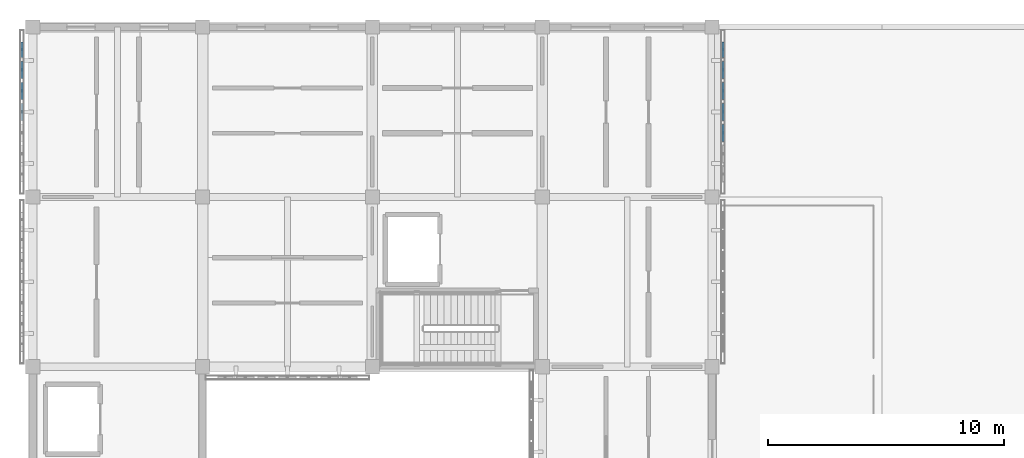
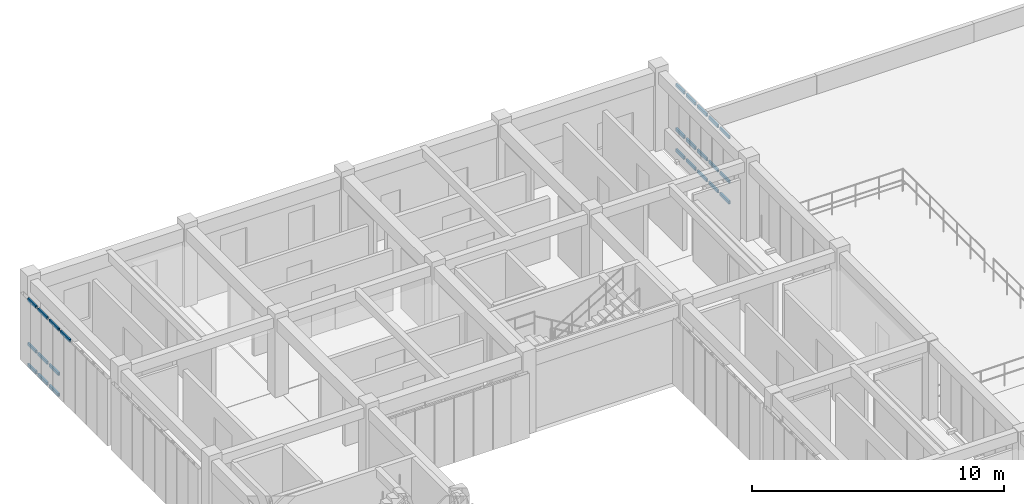
# One storey, part 25 of 67: 25 members, 2 elements without a shape of their own.
"""IFC4 building model written with IfcOpenShell, lengths in metres."""

from ifc_helpers import new_model, si_unit, direction, frame, origin, origin_2d, place, context, subcontext, project, spatial, hollow_rectangle, extrude, material, material_profile, profile_set, type_object, element, aggregate, save


model = new_model("IFC4")

# Units and contexts
model_context = context("Model", 3, precision=1e-05, world=origin(), true_north=direction((0.0, 1.0)))
body_context = subcontext(model_context, "Body", "Model", "MODEL_VIEW")
ifc_project = project(units=[si_unit("LENGTHUNIT", "METRE"), si_unit("AREAUNIT", "SQUARE_METRE"), si_unit("VOLUMEUNIT", "CUBIC_METRE"), si_unit("PLANEANGLEUNIT", "RADIAN"), si_unit("MASSUNIT", "GRAM", prefix="KILO")], contexts=[model_context])

# Site, building, storey
site_placement = place(None, origin())
site = spatial("IfcSite", under=ifc_project, at=site_placement, CompositionType="ELEMENT")
building_placement = place(site_placement, origin())
building = spatial("IfcBuilding", under=site, at=building_placement, Name="Aldebral Square Health Centre", CompositionType="ELEMENT")
storey_placement = place(building_placement, frame((0.0, 0.0, 13.5)))
storey = spatial("IfcBuildingStorey", under=building, at=storey_placement, Name="L03", CompositionType="ELEMENT", Elevation=13.5)

# Curtain wall, members
ifc_material_1 = material(Name="Aluminium and low-E solar glass", Category="aluminium")
curtain_wall_type = type_object("IfcCurtainWallType", Name="CW-FIN-SYS", PredefinedType="USERDEFINED", material=ifc_material_1)
curtain_wall_1_placement = place(storey_placement, origin())
curtain_wall_1 = element("IfcCurtainWall", 1, at=curtain_wall_1_placement, inside=storey, type_object=curtain_wall_type, Name="L03 V4 finned curtain wall L03-V4-00-15-W", ObjectType="SOLAR_CURTAIN_WALL", PredefinedType="USERDEFINED")
ifc_material_2 = material(Name="Anodised aluminium transom", Category="aluminium")
ifc_material_profile = material_profile(ifc_material_2, hollow_rectangle(XDim=0.074951171875, YDim=0.14990234375, WallThickness=0.00390625, at=origin_2d()), Name="CWT 75x150x4")
ifc_profile_set = profile_set([ifc_material_profile], Name="Anodised aluminium transom")
member_type = type_object("IfcMemberType", Name="CWT-STD", PredefinedType="USERDEFINED", material=ifc_profile_set)
member_1_placement = place(storey_placement, frame((-0.4599609375, 114.56005859375, 0.03759765625), z_axis=(0.0, -1.0, 0.0), x_axis=(1.0, 0.0, 0.0)))
member_1 = element("IfcMember", 2, at=member_1_placement, type_object=member_type, Name="CW1 transom 1.1", ObjectType="TRANSOM", PredefinedType="USERDEFINED", context=body_context, shape_type="SweptSolid", body=[
    extrude(hollow_rectangle(XDim=0.074951171875, YDim=0.14990234375, WallThickness=0.00390625, at=origin_2d()), origin(), (0.0, 0.0, 1.0), 0.6513671875),
])
member_2_placement = place(storey_placement, frame((-0.4599609375, 114.56005859375, 1.050048828125), z_axis=(0.0, -1.0, 0.0), x_axis=(1.0, 0.0, 0.0)))
member_2 = element("IfcMember", 3, at=member_2_placement, type_object=member_type, Name="CW1 transom 1.2", ObjectType="TRANSOM", PredefinedType="USERDEFINED", context=body_context, shape_type="SweptSolid", body=[
    extrude(hollow_rectangle(XDim=0.074951171875, YDim=0.14990234375, WallThickness=0.00390625, at=origin_2d()), origin(), (0.0, 0.0, 1.0), 0.6513671875),
])
member_3_placement = place(storey_placement, frame((-0.4599609375, 114.56005859375, 3.202392578125), z_axis=(0.0, -1.0, 0.0), x_axis=(1.0, 0.0, 0.0)))
member_3 = element("IfcMember", 4, at=member_3_placement, type_object=member_type, Name="CW1 transom 1.3", ObjectType="TRANSOM", PredefinedType="USERDEFINED", context=body_context, shape_type="SweptSolid", body=[
    extrude(hollow_rectangle(XDim=0.074951171875, YDim=0.14990234375, WallThickness=0.00390625, at=origin_2d()), origin(), (0.0, 0.0, 1.0), 0.6513671875),
])
member_4_placement = place(storey_placement, frame((-0.4599609375, 113.74853515625, 0.03759765625), z_axis=(0.0, -1.0, 0.0), x_axis=(1.0, 0.0, 0.0)))
member_4 = element("IfcMember", 5, at=member_4_placement, type_object=member_type, Name="CW1 transom 2.1", ObjectType="TRANSOM", PredefinedType="USERDEFINED", context=body_context, shape_type="SweptSolid", body=[
    extrude(hollow_rectangle(XDim=0.074951171875, YDim=0.14990234375, WallThickness=0.00390625, at=origin_2d()), origin(), (0.0, 0.0, 1.0), 0.7314453125),
])
member_5_placement = place(storey_placement, frame((-0.4599609375, 113.74853515625, 1.050048828125), z_axis=(0.0, -1.0, 0.0), x_axis=(1.0, 0.0, 0.0)))
member_5 = element("IfcMember", 6, at=member_5_placement, type_object=member_type, Name="CW1 transom 2.2", ObjectType="TRANSOM", PredefinedType="USERDEFINED", context=body_context, shape_type="SweptSolid", body=[
    extrude(hollow_rectangle(XDim=0.074951171875, YDim=0.14990234375, WallThickness=0.00390625, at=origin_2d()), origin(), (0.0, 0.0, 1.0), 0.7314453125),
])
member_6_placement = place(storey_placement, frame((-0.4599609375, 113.74853515625, 3.202392578125), z_axis=(0.0, -1.0, 0.0), x_axis=(1.0, 0.0, 0.0)))
member_6 = element("IfcMember", 7, at=member_6_placement, type_object=member_type, Name="CW1 transom 2.3", ObjectType="TRANSOM", PredefinedType="USERDEFINED", context=body_context, shape_type="SweptSolid", body=[
    extrude(hollow_rectangle(XDim=0.074951171875, YDim=0.14990234375, WallThickness=0.00390625, at=origin_2d()), origin(), (0.0, 0.0, 1.0), 0.7314453125),
])
member_7_placement = place(storey_placement, frame((-0.4599609375, 112.857177734375, 0.03759765625), z_axis=(0.0, -1.0, 0.0), x_axis=(1.0, 0.0, 0.0)))
member_7 = element("IfcMember", 8, at=member_7_placement, type_object=member_type, Name="CW1 transom 3.1", ObjectType="TRANSOM", PredefinedType="USERDEFINED", context=body_context, shape_type="SweptSolid", body=[
    extrude(hollow_rectangle(XDim=0.074951171875, YDim=0.14990234375, WallThickness=0.00390625, at=origin_2d()), origin(), (0.0, 0.0, 1.0), 0.7314453125),
])
member_8_placement = place(storey_placement, frame((-0.4599609375, 112.857177734375, 1.050048828125), z_axis=(0.0, -1.0, 0.0), x_axis=(1.0, 0.0, 0.0)))
member_8 = element("IfcMember", 9, at=member_8_placement, type_object=member_type, Name="CW1 transom 3.2", ObjectType="TRANSOM", PredefinedType="USERDEFINED", context=body_context, shape_type="SweptSolid", body=[
    extrude(hollow_rectangle(XDim=0.074951171875, YDim=0.14990234375, WallThickness=0.00390625, at=origin_2d()), origin(), (0.0, 0.0, 1.0), 0.7314453125),
])
member_9_placement = place(storey_placement, frame((-0.4599609375, 112.857177734375, 3.202392578125), z_axis=(0.0, -1.0, 0.0), x_axis=(1.0, 0.0, 0.0)))
member_9 = element("IfcMember", 10, at=member_9_placement, type_object=member_type, Name="CW1 transom 3.3", ObjectType="TRANSOM", PredefinedType="USERDEFINED", context=body_context, shape_type="SweptSolid", body=[
    extrude(hollow_rectangle(XDim=0.074951171875, YDim=0.14990234375, WallThickness=0.00390625, at=origin_2d()), origin(), (0.0, 0.0, 1.0), 0.7314453125),
])
member_10_placement = place(storey_placement, frame((-0.4599609375, 111.9658203125, 3.202392578125), z_axis=(0.0, -1.0, 0.0), x_axis=(1.0, 0.0, 0.0)))
member_10 = element("IfcMember", 11, at=member_10_placement, type_object=member_type, Name="CW1 transom 4.3", ObjectType="TRANSOM", PredefinedType="USERDEFINED", context=body_context, shape_type="SweptSolid", body=[
    extrude(hollow_rectangle(XDim=0.074951171875, YDim=0.14990234375, WallThickness=0.00390625, at=origin_2d()), origin(), (0.0, 0.0, 1.0), 0.7314453125),
])
aggregate(curtain_wall_1, [member_1, member_2, member_3, member_4, member_5, member_6, member_7, member_8, member_9, member_10])

curtain_wall_2_placement = place(storey_placement, origin())
curtain_wall_2 = element("IfcCurtainWall", 12, at=curtain_wall_2_placement, inside=storey, type_object=curtain_wall_type, Name="L03 V4 finned curtain wall L03-V4-03-15-E", ObjectType="SOLAR_CURTAIN_WALL", PredefinedType="USERDEFINED")
member_11_placement = place(storey_placement, frame((29.260009765625, 110.3427734375, 0.03759765625), z_axis=(0.0, 1.0, 0.0), x_axis=(-1.0, 0.0, 0.0)))
member_11 = element("IfcMember", 13, at=member_11_placement, type_object=member_type, Name="CW1 transom 3.1", ObjectType="TRANSOM", PredefinedType="USERDEFINED", context=body_context, shape_type="SweptSolid", body=[
    extrude(hollow_rectangle(XDim=0.074951171875, YDim=0.14990234375, WallThickness=0.00390625, at=origin_2d()), origin(), (0.0, 0.0, 1.0), 0.7314453125),
])
member_12_placement = place(storey_placement, frame((29.260009765625, 110.3427734375, 1.050048828125), z_axis=(0.0, 1.0, 0.0), x_axis=(-1.0, 0.0, 0.0)))
member_12 = element("IfcMember", 14, at=member_12_placement, type_object=member_type, Name="CW1 transom 3.2", ObjectType="TRANSOM", PredefinedType="USERDEFINED", context=body_context, shape_type="SweptSolid", body=[
    extrude(hollow_rectangle(XDim=0.074951171875, YDim=0.14990234375, WallThickness=0.00390625, at=origin_2d()), origin(), (0.0, 0.0, 1.0), 0.7314453125),
])
member_13_placement = place(storey_placement, frame((29.260009765625, 110.3427734375, 3.202392578125), z_axis=(0.0, 1.0, 0.0), x_axis=(-1.0, 0.0, 0.0)))
member_13 = element("IfcMember", 15, at=member_13_placement, type_object=member_type, Name="CW1 transom 3.3", ObjectType="TRANSOM", PredefinedType="USERDEFINED", context=body_context, shape_type="SweptSolid", body=[
    extrude(hollow_rectangle(XDim=0.074951171875, YDim=0.14990234375, WallThickness=0.00390625, at=origin_2d()), origin(), (0.0, 0.0, 1.0), 0.7314453125),
])
member_14_placement = place(storey_placement, frame((29.260009765625, 111.234375, 0.03759765625), z_axis=(0.0, 1.0, 0.0), x_axis=(-1.0, 0.0, 0.0)))
member_14 = element("IfcMember", 16, at=member_14_placement, type_object=member_type, Name="CW1 transom 4.1", ObjectType="TRANSOM", PredefinedType="USERDEFINED", context=body_context, shape_type="SweptSolid", body=[
    extrude(hollow_rectangle(XDim=0.074951171875, YDim=0.14990234375, WallThickness=0.00390625, at=origin_2d()), origin(), (0.0, 0.0, 1.0), 0.7314453125),
])
member_15_placement = place(storey_placement, frame((29.260009765625, 111.234375, 1.050048828125), z_axis=(0.0, 1.0, 0.0), x_axis=(-1.0, 0.0, 0.0)))
member_15 = element("IfcMember", 17, at=member_15_placement, type_object=member_type, Name="CW1 transom 4.2", ObjectType="TRANSOM", PredefinedType="USERDEFINED", context=body_context, shape_type="SweptSolid", body=[
    extrude(hollow_rectangle(XDim=0.074951171875, YDim=0.14990234375, WallThickness=0.00390625, at=origin_2d()), origin(), (0.0, 0.0, 1.0), 0.7314453125),
])
member_16_placement = place(storey_placement, frame((29.260009765625, 111.234375, 3.202392578125), z_axis=(0.0, 1.0, 0.0), x_axis=(-1.0, 0.0, 0.0)))
member_16 = element("IfcMember", 18, at=member_16_placement, type_object=member_type, Name="CW1 transom 4.3", ObjectType="TRANSOM", PredefinedType="USERDEFINED", context=body_context, shape_type="SweptSolid", body=[
    extrude(hollow_rectangle(XDim=0.074951171875, YDim=0.14990234375, WallThickness=0.00390625, at=origin_2d()), origin(), (0.0, 0.0, 1.0), 0.7314453125),
])
member_17_placement = place(storey_placement, frame((29.260009765625, 112.125732421875, 0.03759765625), z_axis=(0.0, 1.0, 0.0), x_axis=(-1.0, 0.0, 0.0)))
member_17 = element("IfcMember", 19, at=member_17_placement, type_object=member_type, Name="CW1 transom 5.1", ObjectType="TRANSOM", PredefinedType="USERDEFINED", context=body_context, shape_type="SweptSolid", body=[
    extrude(hollow_rectangle(XDim=0.074951171875, YDim=0.14990234375, WallThickness=0.00390625, at=origin_2d()), origin(), (0.0, 0.0, 1.0), 0.7314453125),
])
member_18_placement = place(storey_placement, frame((29.260009765625, 112.125732421875, 1.050048828125), z_axis=(0.0, 1.0, 0.0), x_axis=(-1.0, 0.0, 0.0)))
member_18 = element("IfcMember", 20, at=member_18_placement, type_object=member_type, Name="CW1 transom 5.2", ObjectType="TRANSOM", PredefinedType="USERDEFINED", context=body_context, shape_type="SweptSolid", body=[
    extrude(hollow_rectangle(XDim=0.074951171875, YDim=0.14990234375, WallThickness=0.00390625, at=origin_2d()), origin(), (0.0, 0.0, 1.0), 0.7314453125),
])
member_19_placement = place(storey_placement, frame((29.260009765625, 112.125732421875, 3.202392578125), z_axis=(0.0, 1.0, 0.0), x_axis=(-1.0, 0.0, 0.0)))
member_19 = element("IfcMember", 21, at=member_19_placement, type_object=member_type, Name="CW1 transom 5.3", ObjectType="TRANSOM", PredefinedType="USERDEFINED", context=body_context, shape_type="SweptSolid", body=[
    extrude(hollow_rectangle(XDim=0.074951171875, YDim=0.14990234375, WallThickness=0.00390625, at=origin_2d()), origin(), (0.0, 0.0, 1.0), 0.7314453125),
])
member_20_placement = place(storey_placement, frame((29.260009765625, 113.01708984375, 0.03759765625), z_axis=(0.0, 1.0, 0.0), x_axis=(-1.0, 0.0, 0.0)))
member_20 = element("IfcMember", 22, at=member_20_placement, type_object=member_type, Name="CW1 transom 6.1", ObjectType="TRANSOM", PredefinedType="USERDEFINED", context=body_context, shape_type="SweptSolid", body=[
    extrude(hollow_rectangle(XDim=0.074951171875, YDim=0.14990234375, WallThickness=0.00390625, at=origin_2d()), origin(), (0.0, 0.0, 1.0), 0.7314453125),
])
member_21_placement = place(storey_placement, frame((29.260009765625, 113.01708984375, 1.050048828125), z_axis=(0.0, 1.0, 0.0), x_axis=(-1.0, 0.0, 0.0)))
member_21 = element("IfcMember", 23, at=member_21_placement, type_object=member_type, Name="CW1 transom 6.2", ObjectType="TRANSOM", PredefinedType="USERDEFINED", context=body_context, shape_type="SweptSolid", body=[
    extrude(hollow_rectangle(XDim=0.074951171875, YDim=0.14990234375, WallThickness=0.00390625, at=origin_2d()), origin(), (0.0, 0.0, 1.0), 0.7314453125),
])
member_22_placement = place(storey_placement, frame((29.260009765625, 113.01708984375, 3.202392578125), z_axis=(0.0, 1.0, 0.0), x_axis=(-1.0, 0.0, 0.0)))
member_22 = element("IfcMember", 24, at=member_22_placement, type_object=member_type, Name="CW1 transom 6.3", ObjectType="TRANSOM", PredefinedType="USERDEFINED", context=body_context, shape_type="SweptSolid", body=[
    extrude(hollow_rectangle(XDim=0.074951171875, YDim=0.14990234375, WallThickness=0.00390625, at=origin_2d()), origin(), (0.0, 0.0, 1.0), 0.7314453125),
])
member_23_placement = place(storey_placement, frame((29.260009765625, 113.90869140625, 0.03759765625), z_axis=(0.0, 1.0, 0.0), x_axis=(-1.0, 0.0, 0.0)))
member_23 = element("IfcMember", 25, at=member_23_placement, type_object=member_type, Name="CW1 transom 7.1", ObjectType="TRANSOM", PredefinedType="USERDEFINED", context=body_context, shape_type="SweptSolid", body=[
    extrude(hollow_rectangle(XDim=0.074951171875, YDim=0.14990234375, WallThickness=0.00390625, at=origin_2d()), origin(), (0.0, 0.0, 1.0), 0.6513671875),
])
member_24_placement = place(storey_placement, frame((29.260009765625, 113.90869140625, 1.050048828125), z_axis=(0.0, 1.0, 0.0), x_axis=(-1.0, 0.0, 0.0)))
member_24 = element("IfcMember", 26, at=member_24_placement, type_object=member_type, Name="CW1 transom 7.2", ObjectType="TRANSOM", PredefinedType="USERDEFINED", context=body_context, shape_type="SweptSolid", body=[
    extrude(hollow_rectangle(XDim=0.074951171875, YDim=0.14990234375, WallThickness=0.00390625, at=origin_2d()), origin(), (0.0, 0.0, 1.0), 0.6513671875),
])
member_25_placement = place(storey_placement, frame((29.260009765625, 113.90869140625, 3.202392578125), z_axis=(0.0, 1.0, 0.0), x_axis=(-1.0, 0.0, 0.0)))
member_25 = element("IfcMember", 27, at=member_25_placement, type_object=member_type, Name="CW1 transom 7.3", ObjectType="TRANSOM", PredefinedType="USERDEFINED", context=body_context, shape_type="SweptSolid", body=[
    extrude(hollow_rectangle(XDim=0.074951171875, YDim=0.14990234375, WallThickness=0.00390625, at=origin_2d()), origin(), (0.0, 0.0, 1.0), 0.6513671875),
])
aggregate(curtain_wall_2, [member_11, member_12, member_13, member_14, member_15, member_16, member_17, member_18, member_19, member_20, member_21, member_22, member_23, member_24, member_25])

save(model, "model.ifc")
